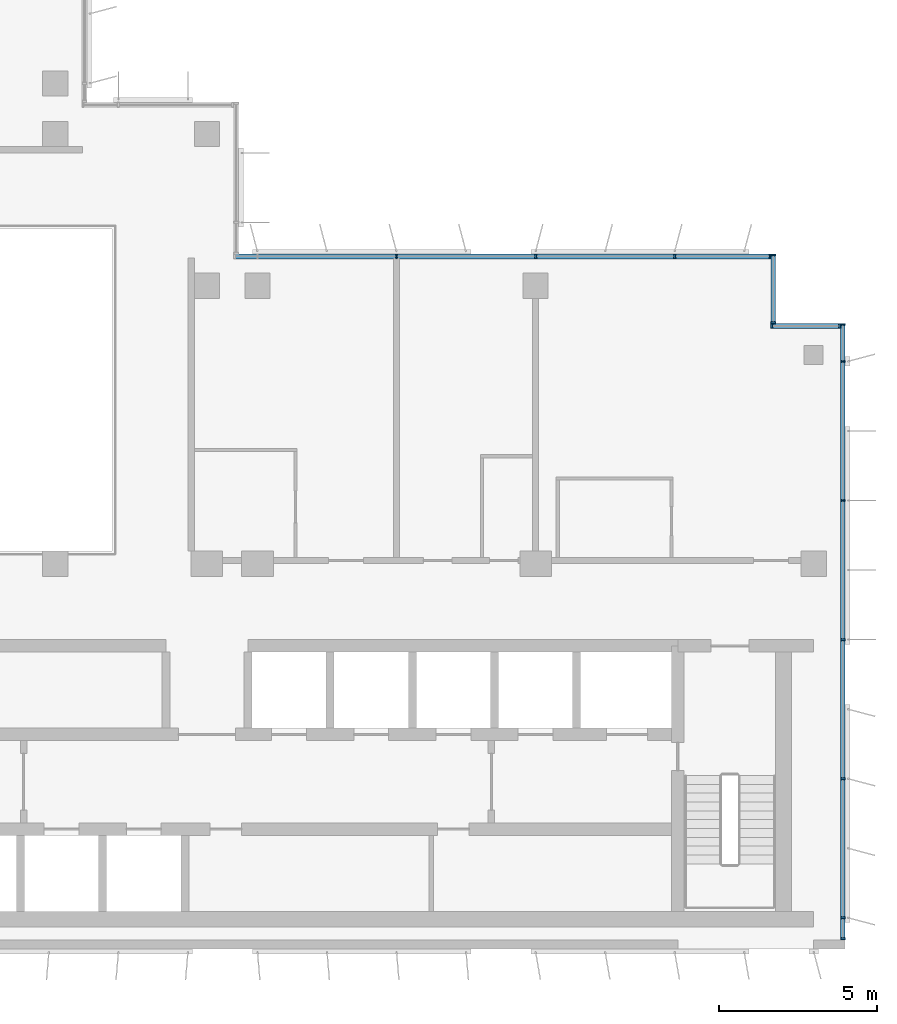
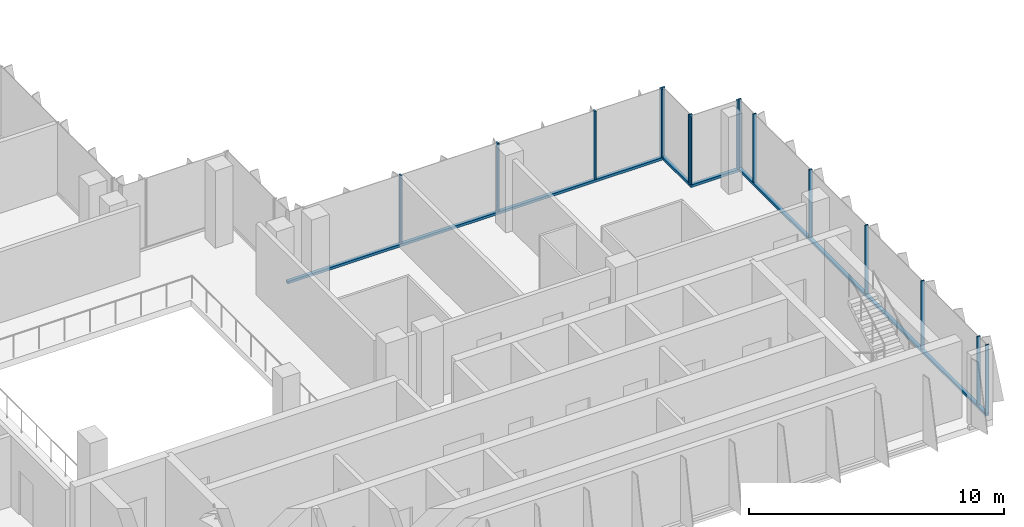
# One storey, part 3 of 15: 19 members, 4 elements without a shape of their own.
"""IFC4 building model written with IfcOpenShell, lengths in metres."""

from ifc_helpers import new_model, si_unit, direction, frame, origin, origin_2d, place, context, subcontext, project, spatial, rectangle, extrude, source, transform, mapped, material, material_profile, profile_set, type_object, element, aggregate, save


model = new_model("IFC4")

# Units and contexts
model_context = context("Model", 3, precision=1e-05, world=origin(), true_north=direction((0.0, 1.0)))
body_context = subcontext(model_context, "Body", "Model", "MODEL_VIEW")
ifc_project = project(units=[si_unit("LENGTHUNIT", "METRE"), si_unit("AREAUNIT", "SQUARE_METRE"), si_unit("VOLUMEUNIT", "CUBIC_METRE"), si_unit("PLANEANGLEUNIT", "RADIAN"), si_unit("MASSUNIT", "GRAM", prefix="KILO")], contexts=[model_context])

# Site, building, storey
site_placement = place(None, origin())
site = spatial("IfcSite", under=ifc_project, at=site_placement, CompositionType="ELEMENT")
building_placement = place(site_placement, origin())
building = spatial("IfcBuilding", under=site, at=building_placement, Name="Kemantara Hotel Tower", CompositionType="ELEMENT")
storey_placement = place(building_placement, frame((0.0, 0.0, 268.5)))
storey = spatial("IfcBuildingStorey", under=building, at=storey_placement, Name="L67", CompositionType="ELEMENT", Elevation=268.5)

# Curtain wall, member
ifc_material_1 = material(Name="Low-E tinted double insulated glass 36 mm", Category="glass")
curtain_wall_type = type_object("IfcCurtainWallType", Name="TOWER CURTAIN WALL, FRONT FACES", PredefinedType="USERDEFINED", material=ifc_material_1)
curtain_wall_1_placement = place(storey_placement, origin())
curtain_wall_1 = element("IfcCurtainWall", 1, at=curtain_wall_1_placement, inside=storey, type_object=curtain_wall_type, Name="CW4 L67 T4-R09-1", ObjectType="TOWER CURTAIN WALL, FRONT FACES", PredefinedType="USERDEFINED")
ifc_material_2 = material(Name="Aluminium 6063-T6 bronze anodised", Category="aluminium")
ifc_material_profile_1 = material_profile(ifc_material_2, rectangle(XDim=0.14990234375, YDim=0.1201171875, at=origin_2d()), Name="TOWER CURTAIN WALL, FRONT FACES TRANSOM")
ifc_profile_set_1 = profile_set([ifc_material_profile_1], Name="Aluminium 6063-T6 bronze anodised")
member_type_1 = type_object("IfcMemberType", Name="TOWER CURTAIN WALL, FRONT FACES TRANSOM", PredefinedType="USERDEFINED", material=ifc_profile_set_1)
member_1_placement = place(storey_placement, frame((45.925048828125, 0.300048828125, 0.06005859375), z_axis=(0.0, 1.0, 0.0), x_axis=(-1.0, 0.0, 0.0)))
member_1 = element("IfcMember", 2, at=member_1_placement, type_object=member_type_1, Name="CW4 sill transom T4-R09-1", ObjectType="TRANSOM", PredefinedType="USERDEFINED", context=body_context, shape_type="SweptSolid", body=[
    extrude(rectangle(XDim=0.14990234375, YDim=0.1201171875, at=origin_2d()), origin(), (0.0, 0.0, 1.0), 19.5),
])

curtain_wall_2_placement = place(storey_placement, origin())
curtain_wall_2 = element("IfcCurtainWall", 3, at=curtain_wall_2_placement, inside=storey, type_object=curtain_wall_type, Name="CW4 L67 T4-R12-1", ObjectType="TOWER CURTAIN WALL, FRONT FACES", PredefinedType="USERDEFINED")
member_2_placement = place(storey_placement, frame((43.64990234375, 21.925048828125, 0.06005859375), z_axis=(-1.0, 0.0, 0.0), x_axis=(0.0, -1.0, 0.0)))
member_2 = element("IfcMember", 4, at=member_2_placement, type_object=member_type_1, Name="CW4 sill transom T4-R12-1", ObjectType="TRANSOM", PredefinedType="USERDEFINED", context=body_context, shape_type="SweptSolid", body=[
    extrude(rectangle(XDim=0.14990234375, YDim=0.1201171875, at=origin_2d()), origin(), (0.0, 0.0, 1.0), 17.0),
])

curtain_wall_3_placement = place(storey_placement, origin())
curtain_wall_3 = element("IfcCurtainWall", 5, at=curtain_wall_3_placement, inside=storey, type_object=curtain_wall_type, Name="CW4 L67 T4-R10-1", ObjectType="TOWER CURTAIN WALL, FRONT FACES", PredefinedType="USERDEFINED")
member_3_placement = place(storey_placement, frame((45.85009765625, 19.72509765625, 0.06005859375), z_axis=(-1.0, 0.0, 0.0), x_axis=(0.0, -1.0, 0.0)))
member_3 = element("IfcMember", 6, at=member_3_placement, type_object=member_type_1, Name="CW4 sill transom T4-R10-1", ObjectType="TRANSOM", PredefinedType="USERDEFINED", context=body_context, shape_type="SweptSolid", body=[
    extrude(rectangle(XDim=0.14990234375, YDim=0.1201171875, at=origin_2d()), origin(), (0.0, 0.0, 1.0), 2.2001953125),
])

curtain_wall_4_placement = place(storey_placement, origin())
curtain_wall_4 = element("IfcCurtainWall", 7, at=curtain_wall_4_placement, inside=storey, type_object=curtain_wall_type, Name="CW4 L67 T4-R11-1", ObjectType="TOWER CURTAIN WALL, FRONT FACES", PredefinedType="USERDEFINED")
member_4_placement = place(storey_placement, frame((43.72509765625, 19.800048828125, 0.06005859375), z_axis=(0.0, 1.0, 0.0), x_axis=(-1.0, 0.0, 0.0)))
member_4 = element("IfcMember", 8, at=member_4_placement, type_object=member_type_1, Name="CW4 sill transom T4-R11-1", ObjectType="TRANSOM", PredefinedType="USERDEFINED", context=body_context, shape_type="SweptSolid", body=[
    extrude(rectangle(XDim=0.14990234375, YDim=0.1201171875, at=origin_2d()), origin(), (0.0, 0.0, 1.0), 2.199951171875),
])

# Member
ifc_material_profile_2 = material_profile(ifc_material_2, rectangle(XDim=0.14990234375, YDim=0.06005859375, at=origin_2d()), Name="TOWER CURTAIN WALL, FRONT FACES MULLION")
ifc_profile_set_2 = profile_set([ifc_material_profile_2], Name="Aluminium 6063-T6 bronze anodised")
member_type_2 = type_object("IfcMemberType", Name="TOWER CURTAIN WALL, FRONT FACES MULLION", PredefinedType="MULLION", material=ifc_profile_set_2)
shared_shape = source(origin(), body_context, "Body", "SweptSolid", [
    extrude(rectangle(XDim=0.14990234375, YDim=0.06005859375, at=origin_2d()), origin(), (0.0, 0.0, 1.0), 3.27978515625),
])
member_5_placement = place(storey_placement, frame((45.925048828125, 0.330078125, 0.1201171875), z_axis=(0.0, 0.0, 1.0), x_axis=(-1.0, 0.0, 0.0)))
member_5 = element("IfcMember", 9, at=member_5_placement, type_object=member_type_2, Name="CW4 mullion T4-R09-1.1", PredefinedType="MULLION", context=body_context, shape_type="MappedRepresentation", body=[
    mapped(shared_shape, transform((0.0, 0.0, 0.0))),
])

member_6_placement = place(storey_placement, frame((45.925048828125, 1.0, 0.1201171875), z_axis=(0.0, 0.0, 1.0), x_axis=(-1.0, 0.0, 0.0)))
member_6 = element("IfcMember", 10, at=member_6_placement, type_object=member_type_2, Name="CW4 mullion T4-R09-1.2", PredefinedType="MULLION", context=body_context, shape_type="MappedRepresentation", body=[
    mapped(shared_shape, transform((0.0, 0.0, 0.0))),
])

member_7_placement = place(storey_placement, frame((45.925048828125, 5.39990234375, 0.1201171875), z_axis=(0.0, 0.0, 1.0), x_axis=(-1.0, 0.0, 0.0)))
member_7 = element("IfcMember", 11, at=member_7_placement, type_object=member_type_2, Name="CW4 mullion T4-R09-1.3", PredefinedType="MULLION", context=body_context, shape_type="MappedRepresentation", body=[
    mapped(shared_shape, transform((0.0, 0.0, 0.0))),
])

member_8_placement = place(storey_placement, frame((45.925048828125, 9.800048828125, 0.1201171875), z_axis=(0.0, 0.0, 1.0), x_axis=(-1.0, 0.0, 0.0)))
member_8 = element("IfcMember", 12, at=member_8_placement, type_object=member_type_2, Name="CW4 mullion T4-R09-1.4", PredefinedType="MULLION", context=body_context, shape_type="MappedRepresentation", body=[
    mapped(shared_shape, transform((0.0, 0.0, 0.0))),
])

member_9_placement = place(storey_placement, frame((45.925048828125, 14.199951171875, 0.1201171875), z_axis=(0.0, 0.0, 1.0), x_axis=(-1.0, 0.0, 0.0)))
member_9 = element("IfcMember", 13, at=member_9_placement, type_object=member_type_2, Name="CW4 mullion T4-R09-1.5", PredefinedType="MULLION", context=body_context, shape_type="MappedRepresentation", body=[
    mapped(shared_shape, transform((0.0, 0.0, 0.0))),
])

member_10_placement = place(storey_placement, frame((45.925048828125, 18.60009765625, 0.1201171875), z_axis=(0.0, 0.0, 1.0), x_axis=(-1.0, 0.0, 0.0)))
member_10 = element("IfcMember", 14, at=member_10_placement, type_object=member_type_2, Name="CW4 mullion T4-R09-1.6", PredefinedType="MULLION", context=body_context, shape_type="MappedRepresentation", body=[
    mapped(shared_shape, transform((0.0, 0.0, 0.0))),
])

member_11_placement = place(storey_placement, frame((45.925048828125, 19.77001953125, 0.1201171875), z_axis=(0.0, 0.0, 1.0), x_axis=(-1.0, 0.0, 0.0)))
member_11 = element("IfcMember", 15, at=member_11_placement, type_object=member_type_2, Name="CW4 mullion T4-R09-1.7", PredefinedType="MULLION", context=body_context, shape_type="MappedRepresentation", body=[
    mapped(shared_shape, transform((0.0, 0.0, 0.0))),
])

aggregate(curtain_wall_1, [member_1, member_5, member_6, member_7, member_8, member_9, member_10, member_11])

member_12_placement = place(storey_placement, frame((43.6201171875, 21.925048828125, 0.1201171875), z_axis=(0.0, 0.0, 1.0), x_axis=(0.0, -1.0, 0.0)))
member_12 = element("IfcMember", 16, at=member_12_placement, type_object=member_type_2, Name="CW4 mullion T4-R12-1.1", PredefinedType="MULLION", context=body_context, shape_type="MappedRepresentation", body=[
    mapped(shared_shape, transform((0.0, 0.0, 0.0))),
])

member_13_placement = place(storey_placement, frame((40.60009765625, 21.925048828125, 0.1201171875), z_axis=(0.0, 0.0, 1.0), x_axis=(0.0, -1.0, 0.0)))
member_13 = element("IfcMember", 17, at=member_13_placement, type_object=member_type_2, Name="CW4 mullion T4-R12-1.2", PredefinedType="MULLION", context=body_context, shape_type="MappedRepresentation", body=[
    mapped(shared_shape, transform((0.0, 0.0, 0.0))),
])

member_14_placement = place(storey_placement, frame((36.199951171875, 21.925048828125, 0.1201171875), z_axis=(0.0, 0.0, 1.0), x_axis=(0.0, -1.0, 0.0)))
member_14 = element("IfcMember", 18, at=member_14_placement, type_object=member_type_2, Name="CW4 mullion T4-R12-1.3", PredefinedType="MULLION", context=body_context, shape_type="MappedRepresentation", body=[
    mapped(shared_shape, transform((0.0, 0.0, 0.0))),
])

member_15_placement = place(storey_placement, frame((31.800048828125, 21.925048828125, 0.1201171875), z_axis=(0.0, 0.0, 1.0), x_axis=(0.0, -1.0, 0.0)))
member_15 = element("IfcMember", 19, at=member_15_placement, type_object=member_type_2, Name="CW4 mullion T4-R12-1.4", PredefinedType="MULLION", context=body_context, shape_type="MappedRepresentation", body=[
    mapped(shared_shape, transform((0.0, 0.0, 0.0))),
])

aggregate(curtain_wall_2, [member_2, member_12, member_13, member_14, member_15])

member_16_placement = place(storey_placement, frame((45.820068359375, 19.72509765625, 0.1201171875), z_axis=(0.0, 0.0, 1.0), x_axis=(0.0, -1.0, 0.0)))
member_16 = element("IfcMember", 20, at=member_16_placement, type_object=member_type_2, Name="CW4 mullion T4-R10-1.1", PredefinedType="MULLION", context=body_context, shape_type="MappedRepresentation", body=[
    mapped(shared_shape, transform((0.0, 0.0, 0.0))),
])

member_17_placement = place(storey_placement, frame((43.679931640625, 19.72509765625, 0.1201171875), z_axis=(0.0, 0.0, 1.0), x_axis=(0.0, -1.0, 0.0)))
member_17 = element("IfcMember", 21, at=member_17_placement, type_object=member_type_2, Name="CW4 mullion T4-R10-1.2", PredefinedType="MULLION", context=body_context, shape_type="MappedRepresentation", body=[
    mapped(shared_shape, transform((0.0, 0.0, 0.0))),
])

aggregate(curtain_wall_3, [member_3, member_16, member_17])

member_18_placement = place(storey_placement, frame((43.72509765625, 19.830078125, 0.1201171875), z_axis=(0.0, 0.0, 1.0), x_axis=(-1.0, 0.0, 0.0)))
member_18 = element("IfcMember", 22, at=member_18_placement, type_object=member_type_2, Name="CW4 mullion T4-R11-1.1", PredefinedType="MULLION", context=body_context, shape_type="MappedRepresentation", body=[
    mapped(shared_shape, transform((0.0, 0.0, 0.0))),
])

member_19_placement = place(storey_placement, frame((43.72509765625, 21.969970703125, 0.1201171875), z_axis=(0.0, 0.0, 1.0), x_axis=(-1.0, 0.0, 0.0)))
member_19 = element("IfcMember", 23, at=member_19_placement, type_object=member_type_2, Name="CW4 mullion T4-R11-1.2", PredefinedType="MULLION", context=body_context, shape_type="MappedRepresentation", body=[
    mapped(shared_shape, transform((0.0, 0.0, 0.0))),
])

aggregate(curtain_wall_4, [member_4, member_18, member_19])

save(model, "model.ifc")
